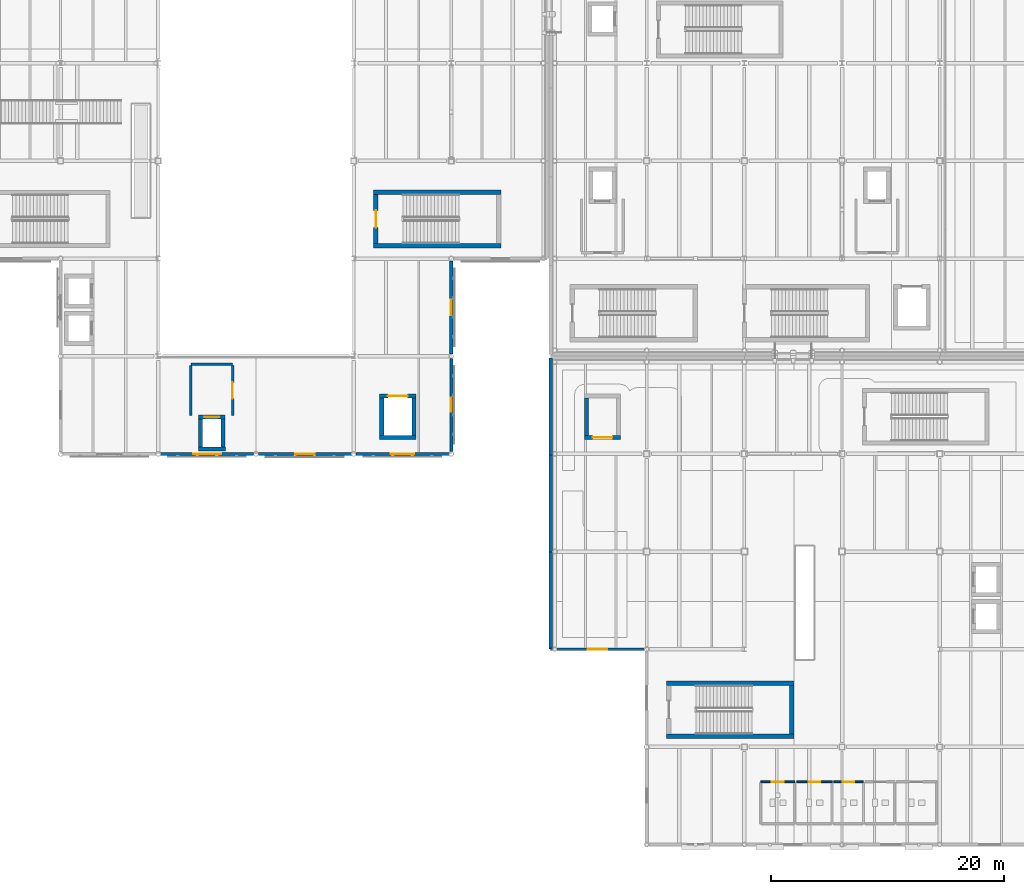
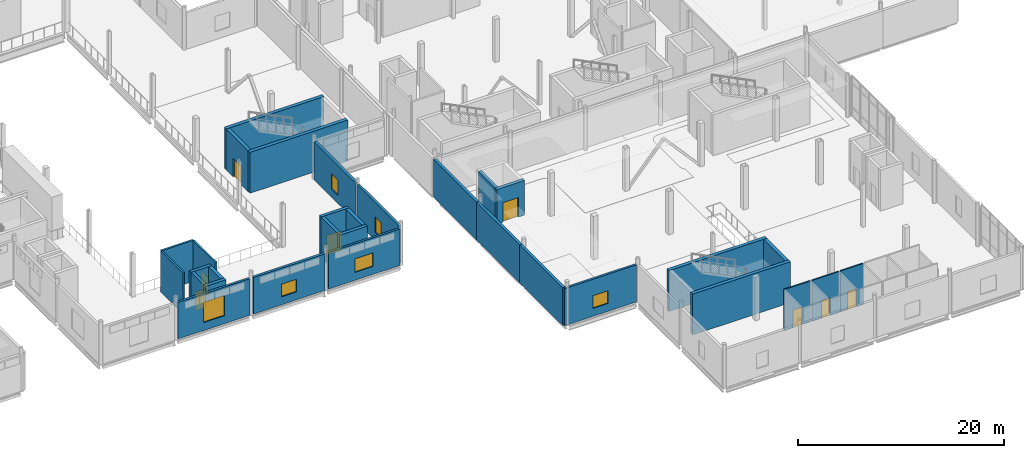
# One storey, part 68 of 104: 31 walls, 8 doors, 6 windows, 14 openings.
"""IFC4 building model written with IfcOpenShell, lengths in metres."""

from ifc_helpers import new_model, si_unit, direction, frame, frame_2d, origin, place, context, subcontext, project, spatial, rectangle, extrude, material, layer, layer_set, type_object, element, fill, save


model = new_model("IFC4")

# Units and contexts
model_context = context("Model", 3, precision=1e-05, world=origin(), true_north=direction((0.0, 1.0)))
body_context = subcontext(model_context, "Body", "Model", "MODEL_VIEW")
ifc_project = project(units=[si_unit("LENGTHUNIT", "METRE"), si_unit("AREAUNIT", "SQUARE_METRE"), si_unit("VOLUMEUNIT", "CUBIC_METRE"), si_unit("PLANEANGLEUNIT", "RADIAN"), si_unit("MASSUNIT", "GRAM", prefix="KILO"), si_unit("THERMODYNAMICTEMPERATUREUNIT", "KELVIN")], contexts=[model_context])

# Site, building, storey
site_placement = place(None, origin())
site = spatial("IfcSite", under=ifc_project, at=site_placement, CompositionType="ELEMENT")
building_placement = place(site_placement, origin())
building = spatial("IfcBuilding", under=site, at=building_placement, Name="Lustrewick Department Store", CompositionType="ELEMENT")
storey_placement = place(building_placement, frame((0.0, 0.0, 11.39990234375)))
storey = spatial("IfcBuildingStorey", under=building, at=storey_placement, Name="L03", CompositionType="ELEMENT", Elevation=11.39990234375)

# Wall, opening, window
ifc_material_1 = material(Name="Precast concrete C40", Category="concrete")
ifc_layer_1 = layer(ifc_material_1, 0.239990234375, Name="Precast concrete C40")
ifc_layer_set_1 = layer_set([ifc_layer_1], Name="Precast concrete C40")
wall_type_1 = type_object("IfcWallType", Name="EW01", PredefinedType="STANDARD", material=ifc_layer_set_1)
wall_1_placement = place(storey_placement, frame((92.597900390625, 42.0, 0.0), z_axis=(0.0, 0.0, 1.0), x_axis=(1.0, 0.0, 0.0)))
wall_1 = element("IfcWall", 1, at=wall_1_placement, inside=storey, type_object=wall_type_1, Name="L03 V2 Exterior Wall EW01", PredefinedType="STANDARD", context=body_context, shape_type="SweptSolid", body=[
    extrude(rectangle(XDim=8.004150390625, YDim=0.239990234375, at=frame_2d((4.001953125, 0.0))), origin(), (0.0, 0.0, 1.0), 4.3310546875),
])
opening_1_placement = place(wall_1_placement, frame((3.001953125, 0.0, 0.949951171875)))
opening_1 = element("IfcOpeningElement", 2, at=opening_1_placement, cuts=wall_1, Name="Opening WN20", PredefinedType="OPENING", context=body_context, shape_type="SweptSolid", body=[
    extrude(rectangle(XDim=2.0, YDim=1.60009765625, at=frame_2d((1.0, 0.800048828125))), frame((0.0, 0.1298828125, 0.0), z_axis=(0.0, -1.0, 0.0), x_axis=(1.0, 0.0, 0.0)), (0.0, 0.0, 1.0), 0.260009765625),
])
ifc_material_2 = material(Name="Thermally broken Low-E triple-glazed window", Category="glass")
window_type_1 = type_object("IfcWindowType", Name="WN20", PartitioningType="DOUBLE_PANEL_VERTICAL", PredefinedType="WINDOW", material=ifc_material_2)
window_1_placement = place(opening_1_placement, origin())
window_1 = element("IfcWindow", 3, at=window_1_placement, inside=storey, type_object=window_type_1, Name="L03 Art Nouveau Window WN20", OverallHeight=1.60009765625, OverallWidth=2.0, PartitioningType="SINGLE_PANEL", PredefinedType="WINDOW", context=body_context, shape_type="SweptSolid", body=[
    extrude(rectangle(XDim=2.0, YDim=1.60009765625, at=frame_2d((1.0, 0.800048828125))), frame((0.0, 0.030029296875, 0.0), z_axis=(0.0, -1.0, 0.0), x_axis=(1.0, 0.0, 0.0)), (0.0, 0.0, 1.0), 0.06005859375),
])
fill(opening_1, window_1)

wall_2_placement = place(storey_placement, frame((109.35009765625, 25.199951171875, 0.0), z_axis=(0.0, 0.0, 1.0), x_axis=(1.0, 0.0, 0.0)))
wall_2 = element("IfcWall", 4, at=wall_2_placement, inside=storey, type_object=wall_type_1, Name="L03 V3 Exterior Wall EW01", PredefinedType="STANDARD", context=body_context, shape_type="SweptSolid", body=[
    extrude(rectangle(XDim=8.052001953125, YDim=0.239990234375, at=frame_2d((4.02587890625, 0.0))), origin(), (0.0, 0.0, 1.0), 4.397216796875),
])
opening_2_placement = place(wall_2_placement, frame((3.18603515625, 0.0, 0.949951171875)))
opening_2 = element("IfcOpeningElement", 5, at=opening_2_placement, cuts=wall_2, Name="Opening WN19", PredefinedType="OPENING", context=body_context, shape_type="SweptSolid", body=[
    extrude(rectangle(XDim=1.679931640625, YDim=1.5, at=frame_2d((0.83984375, 0.75))), frame((0.0, 0.1298828125, 0.0), z_axis=(0.0, -1.0, 0.0), x_axis=(1.0, 0.0, 0.0)), (0.0, 0.0, 1.0), 0.260009765625),
])
window_type_2 = type_object("IfcWindowType", Name="WN19", PartitioningType="DOUBLE_PANEL_VERTICAL", PredefinedType="WINDOW", material=ifc_material_2)
window_2_placement = place(opening_2_placement, origin())
window_2 = element("IfcWindow", 6, at=window_2_placement, inside=storey, type_object=window_type_2, Name="L03 Art Nouveau Window WN19", OverallHeight=1.5, OverallWidth=1.679931640625, PartitioningType="SINGLE_PANEL", PredefinedType="WINDOW", context=body_context, shape_type="SweptSolid", body=[
    extrude(rectangle(XDim=1.679931640625, YDim=1.5, at=frame_2d((0.83984375, 0.75))), frame((0.0, 0.030029296875, 0.0), z_axis=(0.0, -1.0, 0.0), x_axis=(1.0, 0.0, 0.0)), (0.0, 0.0, 1.0), 0.06005859375),
])
fill(opening_2, window_2)

ifc_layer_2 = layer(ifc_material_1, 0.260009765625, Name="Precast concrete C40")
ifc_layer_set_2 = layer_set([ifc_layer_2], Name="Precast concrete C40")
wall_type_2 = type_object("IfcWallType", Name="EW02", PredefinedType="STANDARD", material=ifc_layer_set_2)
wall_3_placement = place(storey_placement, frame((75.798095703125, 42.0, 0.0), z_axis=(0.0, 0.0, 1.0), x_axis=(1.0, 0.0, 0.0)))
wall_3 = element("IfcWall", 7, at=wall_3_placement, inside=storey, type_object=wall_type_2, Name="L03 V2 Exterior Wall EW02", PredefinedType="STANDARD", context=body_context, shape_type="SweptSolid", body=[
    extrude(rectangle(XDim=8.00390625, YDim=0.260009765625, at=frame_2d((4.001953125, 0.0))), origin(), (0.0, 0.0, 1.0), 4.3310546875),
])
opening_3_placement = place(wall_3_placement, frame((2.802001953125, 0.0, 0.949951171875)))
opening_3 = element("IfcOpeningElement", 8, at=opening_3_placement, cuts=wall_3, Name="Opening WN18", PredefinedType="OPENING", context=body_context, shape_type="SweptSolid", body=[
    extrude(rectangle(XDim=2.39990234375, YDim=2.39990234375, at=frame_2d((1.199951171875, 1.199951171875))), frame((0.0, 0.14013671875, 0.0), z_axis=(0.0, -1.0, 0.0), x_axis=(1.0, 0.0, 0.0)), (0.0, 0.0, 1.0), 0.280029296875),
])
window_type_3 = type_object("IfcWindowType", Name="WN18", PartitioningType="DOUBLE_PANEL_VERTICAL", PredefinedType="WINDOW", material=ifc_material_2)
window_3_placement = place(opening_3_placement, origin())
window_3 = element("IfcWindow", 9, at=window_3_placement, inside=storey, type_object=window_type_3, Name="L03 Art Nouveau Window WN18", OverallHeight=2.39990234375, OverallWidth=2.39990234375, PartitioningType="SINGLE_PANEL", PredefinedType="WINDOW", context=body_context, shape_type="SweptSolid", body=[
    extrude(rectangle(XDim=2.39990234375, YDim=2.39990234375, at=frame_2d((1.199951171875, 1.199951171875))), frame((0.0, 0.030029296875, 0.0), z_axis=(0.0, -1.0, 0.0), x_axis=(1.0, 0.0, 0.0)), (0.0, 0.0, 1.0), 0.06005859375),
])
fill(opening_3, window_3)

wall_4_placement = place(storey_placement, frame((100.800048828125, 42.197998046875, 0.0), z_axis=(0.0, 0.0, 1.0), x_axis=(0.0, 1.0, 0.0)))
wall_4 = element("IfcWall", 10, at=wall_4_placement, inside=storey, type_object=wall_type_2, Name="L03 V2 Exterior Wall EW02", PredefinedType="STANDARD", context=body_context, shape_type="SweptSolid", body=[
    extrude(rectangle(XDim=8.0185546875, YDim=0.260009765625, at=frame_2d((4.00927734375, 0.0))), origin(), (0.0, 0.0, 1.0), 4.487060546875),
])
opening_4_placement = place(wall_4_placement, frame((3.4091796875, 0.0, 0.949951171875)))
opening_4 = element("IfcOpeningElement", 11, at=opening_4_placement, cuts=wall_4, Name="Opening WN01", PredefinedType="OPENING", context=body_context, shape_type="SweptSolid", body=[
    extrude(rectangle(XDim=1.199951171875, YDim=1.800048828125, at=frame_2d((0.60009765625, 0.89990234375))), frame((0.0, 0.14013671875, 0.0), z_axis=(0.0, -1.0, 0.0), x_axis=(1.0, 0.0, 0.0)), (0.0, 0.0, 1.0), 0.280029296875),
])
window_type_4 = type_object("IfcWindowType", Name="WN01", PartitioningType="DOUBLE_PANEL_VERTICAL", PredefinedType="WINDOW", material=ifc_material_2)
window_4_placement = place(opening_4_placement, origin())
window_4 = element("IfcWindow", 12, at=window_4_placement, inside=storey, type_object=window_type_4, Name="L03 Art Nouveau Window WN01", OverallHeight=1.800048828125, OverallWidth=1.199951171875, PartitioningType="SINGLE_PANEL", PredefinedType="WINDOW", context=body_context, shape_type="SweptSolid", body=[
    extrude(rectangle(XDim=1.199951171875, YDim=1.800048828125, at=frame_2d((0.60009765625, 0.89990234375))), frame((0.0, 0.030029296875, 0.0), z_axis=(0.0, -1.0, 0.0), x_axis=(1.0, 0.0, 0.0)), (0.0, 0.0, 1.0), 0.06005859375),
])
fill(opening_4, window_4)

ifc_layer_3 = layer(ifc_material_1, 0.280029296875, Name="Precast concrete C40")
ifc_layer_set_3 = layer_set([ifc_layer_3], Name="Precast concrete C40")
wall_type_3 = type_object("IfcWallType", Name="EW03", PredefinedType="STANDARD", material=ifc_layer_set_3)
wall_5_placement = place(storey_placement, frame((84.197998046875, 42.0, 0.0), z_axis=(0.0, 0.0, 1.0), x_axis=(1.0, 0.0, 0.0)))
wall_5 = element("IfcWall", 13, at=wall_5_placement, inside=storey, type_object=wall_type_3, Name="L03 V2 Exterior Wall EW03", PredefinedType="STANDARD", context=body_context, shape_type="SweptSolid", body=[
    extrude(rectangle(XDim=8.00390625, YDim=0.280029296875, at=frame_2d((4.001953125, 0.0))), origin(), (0.0, 0.0, 1.0), 4.3310546875),
])
opening_5_placement = place(wall_5_placement, frame((3.162109375, 0.0, 0.949951171875)))
opening_5 = element("IfcOpeningElement", 14, at=opening_5_placement, cuts=wall_5, Name="Opening WN19", PredefinedType="OPENING", context=body_context, shape_type="SweptSolid", body=[
    extrude(rectangle(XDim=1.679931640625, YDim=1.5, at=frame_2d((0.83984375, 0.75))), frame((0.0, 0.14990234375, 0.0), z_axis=(0.0, -1.0, 0.0), x_axis=(1.0, 0.0, 0.0)), (0.0, 0.0, 1.0), 0.300048828125),
])
window_5_placement = place(opening_5_placement, origin())
window_5 = element("IfcWindow", 15, at=window_5_placement, inside=storey, type_object=window_type_2, Name="L03 Art Nouveau Window WN19", OverallHeight=1.5, OverallWidth=1.679931640625, PartitioningType="SINGLE_PANEL", PredefinedType="WINDOW", context=body_context, shape_type="SweptSolid", body=[
    extrude(rectangle(XDim=1.679931640625, YDim=1.5, at=frame_2d((0.83984375, 0.75))), frame((0.0, 0.030029296875, 0.0), z_axis=(0.0, -1.0, 0.0), x_axis=(1.0, 0.0, 0.0)), (0.0, 0.0, 1.0), 0.06005859375),
])
fill(opening_5, window_5)

wall_6_placement = place(storey_placement, frame((100.800048828125, 50.58349609375, 0.0), z_axis=(0.0, 0.0, 1.0), x_axis=(0.0, 1.0, 0.0)))
wall_6 = element("IfcWall", 16, at=wall_6_placement, inside=storey, type_object=wall_type_3, Name="L03 V2 Exterior Wall EW03", PredefinedType="STANDARD", context=body_context, shape_type="SweptSolid", body=[
    extrude(rectangle(XDim=8.0185546875, YDim=0.280029296875, at=frame_2d((4.00927734375, 0.0))), origin(), (0.0, 0.0, 1.0), 4.487060546875),
])
opening_6_placement = place(wall_6_placement, frame((3.334228515625, 0.0, 0.949951171875)))
opening_6 = element("IfcOpeningElement", 17, at=opening_6_placement, cuts=wall_6, Name="Opening WN02", PredefinedType="OPENING", context=body_context, shape_type="SweptSolid", body=[
    extrude(rectangle(XDim=1.35009765625, YDim=1.800048828125, at=frame_2d((0.675048828125, 0.89990234375))), frame((0.0, 0.14990234375, 0.0), z_axis=(0.0, -1.0, 0.0), x_axis=(1.0, 0.0, 0.0)), (0.0, 0.0, 1.0), 0.300048828125),
])
window_type_5 = type_object("IfcWindowType", Name="WN02", PartitioningType="DOUBLE_PANEL_VERTICAL", PredefinedType="WINDOW", material=ifc_material_2)
window_6_placement = place(opening_6_placement, origin())
window_6 = element("IfcWindow", 18, at=window_6_placement, inside=storey, type_object=window_type_5, Name="L03 Art Nouveau Window WN02", OverallHeight=1.800048828125, OverallWidth=1.35009765625, PartitioningType="SINGLE_PANEL", PredefinedType="WINDOW", context=body_context, shape_type="SweptSolid", body=[
    extrude(rectangle(XDim=1.35009765625, YDim=1.800048828125, at=frame_2d((0.675048828125, 0.89990234375))), frame((0.0, 0.030029296875, 0.0), z_axis=(0.0, -1.0, 0.0), x_axis=(1.0, 0.0, 0.0)), (0.0, 0.0, 1.0), 0.06005859375),
])
fill(opening_6, window_6)

# Walls
ifc_layer_4 = layer(ifc_material_1, 0.300048828125, Name="Precast concrete C40")
ifc_layer_set_4 = layer_set([ifc_layer_4], Name="Precast concrete C40")
wall_type_4 = type_object("IfcWallType", Name="EW04", PredefinedType="STANDARD", material=ifc_layer_set_4)
wall_7_placement = place(storey_placement, frame((109.35009765625, 50.25, 0.0), z_axis=(0.0, 0.0, 1.0), x_axis=(0.0, -1.0, 0.0)))
element("IfcWall", 19, at=wall_7_placement, inside=storey, type_object=wall_type_4, Name="L03 V3 Exterior Wall EW04", PredefinedType="STANDARD", context=body_context, shape_type="SweptSolid", body=[
    extrude(rectangle(XDim=8.35009765625, YDim=0.300048828125, at=frame_2d((4.175048828125, 0.0))), origin(), (0.0, 0.0, 1.0), 4.487060546875),
])
wall_8_placement = place(storey_placement, frame((109.35009765625, 41.89990234375, 0.0), z_axis=(0.0, 0.0, 1.0), x_axis=(0.0, -1.0, 0.0)))
element("IfcWall", 20, at=wall_8_placement, inside=storey, type_object=wall_type_4, Name="L03 V3 Exterior Wall EW04", PredefinedType="STANDARD", context=body_context, shape_type="SweptSolid", body=[
    extrude(rectangle(XDim=8.349853515625, YDim=0.300048828125, at=frame_2d((4.1748046875, 0.0))), origin(), (0.0, 0.0, 1.0), 4.487060546875),
])
wall_9_placement = place(storey_placement, frame((109.35009765625, 33.550048828125, 0.0), z_axis=(0.0, 0.0, 1.0), x_axis=(0.0, -1.0, 0.0)))
element("IfcWall", 21, at=wall_9_placement, inside=storey, type_object=wall_type_4, Name="L03 V3 Exterior Wall EW04", PredefinedType="STANDARD", context=body_context, shape_type="SweptSolid", body=[
    extrude(rectangle(XDim=8.35009765625, YDim=0.300048828125, at=frame_2d((4.175048828125, 0.0))), origin(), (0.0, 0.0, 1.0), 4.487060546875),
])
ifc_material_3 = material(Name="Autoclaved aerated concrete blockwork and fire board", Category="masonry")
ifc_layer_5 = layer(ifc_material_3, 0.205078125, Name="Autoclaved aerated concrete blockwork and fire board")
ifc_layer_set_5 = layer_set([ifc_layer_5], Name="Autoclaved aerated concrete blockwork and fire board")
wall_type_5 = type_object("IfcWallType", Name="PW02", PredefinedType="PARTITIONING", material=ifc_layer_set_5)
wall_10_placement = place(storey_placement, frame((82.0, 49.699951171875, 0.0), z_axis=(0.0, 0.0, 1.0), x_axis=(-1.0, 0.0, 0.0)))
element("IfcWall", 22, at=wall_10_placement, inside=storey, type_object=wall_type_5, Name="L03 Firefighting Lift Lobby FFL-02 PW02", PredefinedType="PARTITIONING", context=body_context, shape_type="SweptSolid", body=[
    extrude(rectangle(XDim=3.60009765625, YDim=0.205078125, at=frame_2d((1.800048828125, 0.0))), origin(), (0.0, 0.0, 1.0), 4.84521484375),
])

# Wall, opening, door
wall_11_placement = place(storey_placement, frame((82.0, 45.300048828125, 0.0), z_axis=(0.0, 0.0, 1.0), x_axis=(0.0, 1.0, 0.0)))
wall_11 = element("IfcWall", 23, at=wall_11_placement, inside=storey, type_object=wall_type_5, Name="L03 Firefighting Lift Lobby FFL-02 PW02", PredefinedType="PARTITIONING", context=body_context, shape_type="SweptSolid", body=[
    extrude(rectangle(XDim=4.302490234375, YDim=0.205078125, at=frame_2d((2.1513671875, 0.0))), origin(), (0.0, 0.0, 1.0), 4.84521484375),
])
opening_7_placement = place(wall_11_placement, frame((1.451416015625, 0.0, 0.0)))
opening_7 = element("IfcOpeningElement", 24, at=opening_7_placement, cuts=wall_11, Name="Opening D-L03-048", PredefinedType="OPENING", context=body_context, shape_type="SweptSolid", body=[
    extrude(rectangle(XDim=1.39990234375, YDim=2.14990234375, at=frame_2d((0.699951171875, 1.074951171875))), frame((0.0, 0.112548828125, 0.0), z_axis=(0.0, -1.0, 0.0), x_axis=(1.0, 0.0, 0.0)), (0.0, 0.0, 1.0), 0.22509765625),
])
ifc_material_4 = material(Name="Steel fire door Class B EI 60", Category="steel")
door_type_1 = type_object("IfcDoorType", Name="DT-08", OperationType="NOTDEFINED", PredefinedType="DOOR", material=ifc_material_4)
door_1_placement = place(opening_7_placement, origin())
door_1 = element("IfcDoor", 25, at=door_1_placement, inside=storey, type_object=door_type_1, Name="L03 Firefighting Lift Lobby FFL-02 Door D-L03-048", OperationType="SINGLE_SWING_RIGHT", OverallHeight=2.14990234375, OverallWidth=1.39990234375, PredefinedType="DOOR", context=body_context, shape_type="SweptSolid", body=[
    extrude(rectangle(XDim=1.39990234375, YDim=2.14990234375, at=frame_2d((0.699951171875, 1.074951171875))), frame((0.0, 0.02490234375, 0.0), z_axis=(0.0, -1.0, 0.0), x_axis=(1.0, 0.0, 0.0)), (0.0, 0.0, 1.0), 0.050048828125),
])
fill(opening_7, door_1)

# Wall
wall_12_placement = place(storey_placement, frame((78.39990234375, 49.6025390625, 0.0), z_axis=(0.0, 0.0, 1.0), x_axis=(0.0, -1.0, 0.0)))
element("IfcWall", 26, at=wall_12_placement, inside=storey, type_object=wall_type_5, Name="L03 Firefighting Lift Lobby FFL-02 PW02", PredefinedType="PARTITIONING", context=body_context, shape_type="SweptSolid", body=[
    extrude(rectangle(XDim=4.302490234375, YDim=0.205078125, at=frame_2d((2.1513671875, 0.0))), origin(), (0.0, 0.0, 1.0), 4.84521484375),
])

# Wall, opening, door
ifc_material_5 = material(Name="Moisture-resistant cement board sanitary partition", Category="gypsum")
ifc_layer_6 = layer(ifc_material_5, 0.14990234375, Name="Moisture-resistant cement board sanitary partition")
ifc_layer_set_6 = layer_set([ifc_layer_6], Name="Moisture-resistant cement board sanitary partition")
wall_type_6 = type_object("IfcWallType", Name="PW05", PredefinedType="PARTITIONING", material=ifc_layer_set_6)
wall_13_placement = place(storey_placement, frame((130.340087890625, 13.800048828125, 0.0), z_axis=(0.0, 0.0, 1.0), x_axis=(-1.0, 0.0, 0.0)))
wall_13 = element("IfcWall", 27, at=wall_13_placement, inside=storey, type_object=wall_type_6, Name="L03 Male Public WC PW05", PredefinedType="PARTITIONING", context=body_context, shape_type="SweptSolid", body=[
    extrude(rectangle(XDim=2.940185546875, YDim=0.14990234375, at=frame_2d((1.47021484375, 0.0))), origin(), (0.0, 0.0, 1.0), 4.84521484375),
])
opening_8_placement = place(wall_13_placement, frame((0.969970703125, 0.0, 0.0)))
opening_8 = element("IfcOpeningElement", 28, at=opening_8_placement, cuts=wall_13, Name="Opening D-L03-049", PredefinedType="OPENING", context=body_context, shape_type="SweptSolid", body=[
    extrude(rectangle(XDim=1.0, YDim=2.10009765625, at=frame_2d((0.5, 1.050048828125))), frame((0.0, 0.0849609375, 0.0), z_axis=(0.0, -1.0, 0.0), x_axis=(1.0, 0.0, 0.0)), (0.0, 0.0, 1.0), 0.169921875),
])
ifc_material_6 = material(Name="Moisture-resistant laminate sanitary door", Category="steel")
door_type_2 = type_object("IfcDoorType", Name="DT-11", OperationType="NOTDEFINED", PredefinedType="DOOR", material=ifc_material_6)
door_2_placement = place(opening_8_placement, origin())
door_2 = element("IfcDoor", 29, at=door_2_placement, inside=storey, type_object=door_type_2, Name="L03 Male Public WC Door D-L03-049", OperationType="SINGLE_SWING_LEFT", OverallHeight=2.10009765625, OverallWidth=1.0, PredefinedType="DOOR", context=body_context, shape_type="SweptSolid", body=[
    extrude(rectangle(XDim=1.0, YDim=2.10009765625, at=frame_2d((0.5, 1.050048828125))), frame((0.0, 0.02490234375, 0.0), z_axis=(0.0, -1.0, 0.0), x_axis=(1.0, 0.0, 0.0)), (0.0, 0.0, 1.0), 0.050048828125),
])
fill(opening_8, door_2)

wall_14_placement = place(storey_placement, frame((133.5400390625, 13.800048828125, 0.0), z_axis=(0.0, 0.0, 1.0), x_axis=(-1.0, 0.0, 0.0)))
wall_14 = element("IfcWall", 30, at=wall_14_placement, inside=storey, type_object=wall_type_6, Name="L03 Female Public WC PW05", PredefinedType="PARTITIONING", context=body_context, shape_type="SweptSolid", body=[
    extrude(rectangle(XDim=3.0400390625, YDim=0.14990234375, at=frame_2d((1.52001953125, 0.0))), origin(), (0.0, 0.0, 1.0), 4.84521484375),
])
opening_9_placement = place(wall_14_placement, frame((1.02001953125, 0.0, 0.0)))
opening_9 = element("IfcOpeningElement", 31, at=opening_9_placement, cuts=wall_14, Name="Opening D-L03-050", PredefinedType="OPENING", context=body_context, shape_type="SweptSolid", body=[
    extrude(rectangle(XDim=1.0, YDim=2.10009765625, at=frame_2d((0.5, 1.050048828125))), frame((0.0, 0.0849609375, 0.0), z_axis=(0.0, -1.0, 0.0), x_axis=(1.0, 0.0, 0.0)), (0.0, 0.0, 1.0), 0.169921875),
])
door_3_placement = place(opening_9_placement, origin())
door_3 = element("IfcDoor", 32, at=door_3_placement, inside=storey, type_object=door_type_2, Name="L03 Female Public WC Door D-L03-050", OperationType="SINGLE_SWING_RIGHT", OverallHeight=2.10009765625, OverallWidth=1.0, PredefinedType="DOOR", context=body_context, shape_type="SweptSolid", body=[
    extrude(rectangle(XDim=1.0, YDim=2.10009765625, at=frame_2d((0.5, 1.050048828125))), frame((0.0, 0.02490234375, 0.0), z_axis=(0.0, -1.0, 0.0), x_axis=(1.0, 0.0, 0.0)), (0.0, 0.0, 1.0), 0.050048828125),
])
fill(opening_9, door_3)

wall_15_placement = place(storey_placement, frame((136.239990234375, 13.800048828125, 0.0), z_axis=(0.0, 0.0, 1.0), x_axis=(-1.0, 0.0, 0.0)))
wall_15 = element("IfcWall", 33, at=wall_15_placement, inside=storey, type_object=wall_type_6, Name="L03 Accessible WC PW05", PredefinedType="PARTITIONING", context=body_context, shape_type="SweptSolid", body=[
    extrude(rectangle(XDim=2.5400390625, YDim=0.14990234375, at=frame_2d((1.27001953125, 0.0))), origin(), (0.0, 0.0, 1.0), 4.84521484375),
])
opening_10_placement = place(wall_15_placement, frame((0.780029296875, 0.0, 0.0)))
opening_10 = element("IfcOpeningElement", 34, at=opening_10_placement, cuts=wall_15, Name="Opening D-L03-051", PredefinedType="OPENING", context=body_context, shape_type="SweptSolid", body=[
    extrude(rectangle(XDim=0.97998046875, YDim=2.10009765625, at=frame_2d((0.489990234375, 1.050048828125))), frame((0.0, 0.0849609375, 0.0), z_axis=(0.0, -1.0, 0.0), x_axis=(1.0, 0.0, 0.0)), (0.0, 0.0, 1.0), 0.169921875),
])
ifc_material_7 = material(Name="Barrier-free accessible sanitary door", Category="steel")
door_type_3 = type_object("IfcDoorType", Name="DT-12", OperationType="NOTDEFINED", PredefinedType="DOOR", material=ifc_material_7)
door_4_placement = place(opening_10_placement, origin())
door_4 = element("IfcDoor", 35, at=door_4_placement, inside=storey, type_object=door_type_3, Name="L03 Accessible WC Door D-L03-051", OperationType="SINGLE_SWING_LEFT", OverallHeight=2.10009765625, OverallWidth=0.97998046875, PredefinedType="DOOR", context=body_context, shape_type="SweptSolid", body=[
    extrude(rectangle(XDim=0.97998046875, YDim=2.10009765625, at=frame_2d((0.489990234375, 1.050048828125))), frame((0.0, 0.02490234375, 0.0), z_axis=(0.0, -1.0, 0.0), x_axis=(1.0, 0.0, 0.0)), (0.0, 0.0, 1.0), 0.050048828125),
])
fill(opening_10, door_4)

# Walls
ifc_material_8 = material(Name="Concrete C40", Category="concrete")
ifc_layer_7 = layer(ifc_material_8, 0.3798828125, Name="Concrete C40")
ifc_layer_set_7 = layer_set([ifc_layer_7], Name="Concrete C40")
wall_type_7 = type_object("IfcWallType", Name="SW03", PredefinedType="SHEAR", material=ifc_layer_set_7)
for number, where, z_axis, x_axis, name in (
    (36, (94.1201171875, 59.909912109375, 0.0), (0.0, 0.0, 1.0), (1.0, 0.0, 0.0), "L03 Stair Core ST05 Shear Wall S"),
    (37, (105.080078125, 64.489990234375, 0.0), (0.0, 0.0, 1.0), (-1.0, 0.0, 0.0), "L03 Stair Core ST05 Shear Wall N"),
):
    element("IfcWall", number, at=place(storey_placement, frame(where, z_axis=z_axis, x_axis=x_axis)), inside=storey, type_object=wall_type_7, Name=name, PredefinedType="SHEAR", context=body_context, shape_type="SweptSolid", body=[
        extrude(rectangle(XDim=10.9599609375, YDim=0.3798828125, at=frame_2d((5.47998046875, 0.0))), origin(), (0.0, 0.0, 1.0), 4.84521484375),
    ])

# Wall, opening, door
wall_16_placement = place(storey_placement, frame((94.31005859375, 64.300048828125, 0.0), z_axis=(0.0, 0.0, 1.0), x_axis=(0.0, -1.0, 0.0)))
wall_16 = element("IfcWall", 38, at=wall_16_placement, inside=storey, type_object=wall_type_7, Name="L03 Stair Core ST05 Shear Wall W", PredefinedType="SHEAR", context=body_context, shape_type="SweptSolid", body=[
    extrude(rectangle(XDim=4.199951171875, YDim=0.3798828125, at=frame_2d((2.10009765625, 0.0))), origin(), (0.0, 0.0, 1.0), 4.84521484375),
])
opening_11_placement = place(wall_16_placement, frame((1.35009765625, 0.0, 0.0)))
opening_11 = element("IfcOpeningElement", 39, at=opening_11_placement, cuts=wall_16, Name="Opening D-L03-005", PredefinedType="OPENING", context=body_context, shape_type="SweptSolid", body=[
    extrude(rectangle(XDim=1.5, YDim=2.14990234375, at=frame_2d((0.75, 1.074951171875))), frame((0.0, 0.199951171875, 0.0), z_axis=(0.0, -1.0, 0.0), x_axis=(1.0, 0.0, 0.0)), (0.0, 0.0, 1.0), 0.39990234375),
])
door_type_4 = type_object("IfcDoorType", Name="DT-07", OperationType="NOTDEFINED", PredefinedType="DOOR", material=ifc_material_4)
door_5_placement = place(opening_11_placement, origin())
door_5 = element("IfcDoor", 40, at=door_5_placement, inside=storey, type_object=door_type_4, Name="L03 Smoke-Proof Stair ST05 Fire Door", OperationType="SINGLE_SWING_LEFT", OverallHeight=2.14990234375, OverallWidth=1.5, PredefinedType="DOOR", context=body_context, shape_type="SweptSolid", body=[
    extrude(rectangle(XDim=1.5, YDim=2.14990234375, at=frame_2d((0.75, 1.074951171875))), frame((0.0, 0.02490234375, 0.0), z_axis=(0.0, -1.0, 0.0), x_axis=(1.0, 0.0, 0.0)), (0.0, 0.0, 1.0), 0.050048828125),
])
fill(opening_11, door_5)

# Walls
wall_17_placement = place(storey_placement, frame((119.320068359375, 17.7099609375, 0.0), z_axis=(0.0, 0.0, 1.0), x_axis=(1.0, 0.0, 0.0)))
element("IfcWall", 41, at=wall_17_placement, inside=storey, type_object=wall_type_7, Name="L03 Stair Core ST07 Shear Wall S", PredefinedType="SHEAR", context=body_context, shape_type="SweptSolid", body=[
    extrude(rectangle(XDim=10.9599609375, YDim=0.3798828125, at=frame_2d((5.47998046875, 0.0))), origin(), (0.0, 0.0, 1.0), 4.84521484375),
])
wall_18_placement = place(storey_placement, frame((130.090087890625, 17.89990234375, 0.0), z_axis=(0.0, 0.0, 1.0), x_axis=(0.0, 1.0, 0.0)))
element("IfcWall", 42, at=wall_18_placement, inside=storey, type_object=wall_type_7, Name="L03 Stair Core ST07 Shear Wall E", PredefinedType="SHEAR", context=body_context, shape_type="SweptSolid", body=[
    extrude(rectangle(XDim=4.2001953125, YDim=0.3798828125, at=frame_2d((2.10009765625, 0.0))), origin(), (0.0, 0.0, 1.0), 4.84521484375),
])
wall_19_placement = place(storey_placement, frame((130.280029296875, 22.2900390625, 0.0), z_axis=(0.0, 0.0, 1.0), x_axis=(-1.0, 0.0, 0.0)))
element("IfcWall", 43, at=wall_19_placement, inside=storey, type_object=wall_type_7, Name="L03 Stair Core ST07 Shear Wall N", PredefinedType="SHEAR", context=body_context, shape_type="SweptSolid", body=[
    extrude(rectangle(XDim=10.9599609375, YDim=0.3798828125, at=frame_2d((5.47998046875, 0.0))), origin(), (0.0, 0.0, 1.0), 4.84521484375),
])
ifc_layer_8 = layer(ifc_material_8, 0.360107421875, Name="Concrete C40")
ifc_layer_set_8 = layer_set([ifc_layer_8], Name="Concrete C40")
wall_type_8 = type_object("IfcWallType", Name="SW04", PredefinedType="SHEAR", material=ifc_layer_set_8)
wall_20_placement = place(storey_placement, frame((79.0400390625, 42.419921875, 0.0), z_axis=(0.0, 0.0, 1.0), x_axis=(1.0, 0.0, 0.0)))
element("IfcWall", 44, at=wall_20_placement, inside=storey, type_object=wall_type_8, Name="L03 Lift FFL-02 Shaft Wall -Y", PredefinedType="SHEAR", context=body_context, shape_type="SweptSolid", body=[
    extrude(rectangle(XDim=2.320068359375, YDim=0.360107421875, at=frame_2d((1.16015625, 0.0))), origin(), (0.0, 0.0, 1.0), 4.84521484375),
])
wall_21_placement = place(storey_placement, frame((81.179931640625, 42.60009765625, 0.0), z_axis=(0.0, 0.0, 1.0), x_axis=(0.0, 1.0, 0.0)))
element("IfcWall", 45, at=wall_21_placement, inside=storey, type_object=wall_type_8, Name="L03 Lift FFL-02 Shaft Wall +X", PredefinedType="SHEAR", context=body_context, shape_type="SweptSolid", body=[
    extrude(rectangle(XDim=2.39990234375, YDim=0.360107421875, at=frame_2d((1.199951171875, 0.0))), origin(), (0.0, 0.0, 1.0), 4.84521484375),
])

# Wall, opening, door
wall_22_placement = place(storey_placement, frame((81.360107421875, 45.179931640625, 0.0), z_axis=(0.0, 0.0, 1.0), x_axis=(-1.0, 0.0, 0.0)))
wall_22 = element("IfcWall", 46, at=wall_22_placement, inside=storey, type_object=wall_type_8, Name="L03 Lift FFL-02 Shaft Wall +Y", PredefinedType="SHEAR", context=body_context, shape_type="SweptSolid", body=[
    extrude(rectangle(XDim=2.320068359375, YDim=0.360107421875, at=frame_2d((1.16015625, 0.0))), origin(), (0.0, 0.0, 1.0), 4.84521484375),
])
opening_12_placement = place(wall_22_placement, frame((0.534912109375, 0.0, 0.0)))
opening_12 = element("IfcOpeningElement", 47, at=opening_12_placement, cuts=wall_22, Name="Opening LD-L03-02", PredefinedType="OPENING", context=body_context, shape_type="SweptSolid", body=[
    extrude(rectangle(XDim=1.25, YDim=2.199951171875, at=frame_2d((0.625, 1.10009765625))), frame((0.0, 0.18994140625, 0.0), z_axis=(0.0, -1.0, 0.0), x_axis=(1.0, 0.0, 0.0)), (0.0, 0.0, 1.0), 0.380126953125),
])
ifc_material_9 = material(Name="Stainless steel firefighting lift landing door EI 90", Category="steel")
door_type_5 = type_object("IfcDoorType", Name="DT-15", OperationType="NOTDEFINED", PredefinedType="DOOR", material=ifc_material_9)
door_6_placement = place(opening_12_placement, frame((1.25, 0.0, 0.0), z_axis=(0.0, 0.0, 1.0), x_axis=(-1.0, 0.0, 0.0)))
door_6 = element("IfcDoor", 48, at=door_6_placement, inside=storey, type_object=door_type_5, Name="L03 Lift FFL-02 Sliding Landing Door LD-L03-02", OperationType="DOUBLE_DOOR_SLIDING", OverallHeight=2.199951171875, OverallWidth=1.25, PredefinedType="DOOR", context=body_context, shape_type="SweptSolid", body=[
    extrude(rectangle(XDim=1.25, YDim=2.199951171875, at=frame_2d((0.625, 1.10009765625))), frame((0.0, 0.02490234375, 0.0), z_axis=(0.0, -1.0, 0.0), x_axis=(1.0, 0.0, 0.0)), (0.0, 0.0, 1.0), 0.050048828125),
])
fill(opening_12, door_6)

# Walls
wall_23_placement = place(storey_placement, frame((79.219970703125, 45.0, 0.0), z_axis=(0.0, 0.0, 1.0), x_axis=(0.0, -1.0, 0.0)))
element("IfcWall", 49, at=wall_23_placement, inside=storey, type_object=wall_type_8, Name="L03 Lift FFL-02 Shaft Wall -X", PredefinedType="SHEAR", context=body_context, shape_type="SweptSolid", body=[
    extrude(rectangle(XDim=2.39990234375, YDim=0.360107421875, at=frame_2d((1.199951171875, 0.0))), origin(), (0.0, 0.0, 1.0), 4.84521484375),
])
wall_24_placement = place(storey_placement, frame((94.639892578125, 43.419921875, 0.0), z_axis=(0.0, 0.0, 1.0), x_axis=(1.0, 0.0, 0.0)))
element("IfcWall", 50, at=wall_24_placement, inside=storey, type_object=wall_type_8, Name="L03 Lift GL-02 Shaft Wall -Y", PredefinedType="SHEAR", context=body_context, shape_type="SweptSolid", body=[
    extrude(rectangle(XDim=3.1201171875, YDim=0.360107421875, at=frame_2d((1.56005859375, 0.0))), origin(), (0.0, 0.0, 1.0), 4.84521484375),
])
wall_25_placement = place(storey_placement, frame((97.580078125, 43.60009765625, 0.0), z_axis=(0.0, 0.0, 1.0), x_axis=(0.0, 1.0, 0.0)))
element("IfcWall", 51, at=wall_25_placement, inside=storey, type_object=wall_type_8, Name="L03 Lift GL-02 Shaft Wall +X", PredefinedType="SHEAR", context=body_context, shape_type="SweptSolid", body=[
    extrude(rectangle(XDim=3.199951171875, YDim=0.360107421875, at=frame_2d((1.60009765625, 0.0))), origin(), (0.0, 0.0, 1.0), 4.84521484375),
])

# Wall, opening, door
wall_26_placement = place(storey_placement, frame((97.760009765625, 46.97998046875, 0.0), z_axis=(0.0, 0.0, 1.0), x_axis=(-1.0, 0.0, 0.0)))
wall_26 = element("IfcWall", 52, at=wall_26_placement, inside=storey, type_object=wall_type_8, Name="L03 Lift GL-02 Shaft Wall +Y", PredefinedType="SHEAR", context=body_context, shape_type="SweptSolid", body=[
    extrude(rectangle(XDim=3.1201171875, YDim=0.360107421875, at=frame_2d((1.56005859375, 0.0))), origin(), (0.0, 0.0, 1.0), 4.84521484375),
])
opening_13_placement = place(wall_26_placement, frame((0.7099609375, 0.0, 0.0)))
opening_13 = element("IfcOpeningElement", 53, at=opening_13_placement, cuts=wall_26, Name="Opening LD-L03-14", PredefinedType="OPENING", context=body_context, shape_type="SweptSolid", body=[
    extrude(rectangle(XDim=1.699951171875, YDim=2.300048828125, at=frame_2d((0.85009765625, 1.14990234375))), frame((0.0, 0.18994140625, 0.0), z_axis=(0.0, -1.0, 0.0), x_axis=(1.0, 0.0, 0.0)), (0.0, 0.0, 1.0), 0.380126953125),
])
ifc_material_10 = material(Name="Heavy-duty stainless goods lift landing door EI 90", Category="steel")
door_type_6 = type_object("IfcDoorType", Name="DT-17", OperationType="NOTDEFINED", PredefinedType="DOOR", material=ifc_material_10)
door_7_placement = place(opening_13_placement, frame((1.699951171875, 0.0, 0.0), z_axis=(0.0, 0.0, 1.0), x_axis=(-1.0, 0.0, 0.0)))
door_7 = element("IfcDoor", 54, at=door_7_placement, inside=storey, type_object=door_type_6, Name="L03 Lift GL-02 Sliding Landing Door LD-L03-14", OperationType="DOUBLE_DOOR_SLIDING", OverallHeight=2.300048828125, OverallWidth=1.699951171875, PredefinedType="DOOR", context=body_context, shape_type="SweptSolid", body=[
    extrude(rectangle(XDim=1.699951171875, YDim=2.300048828125, at=frame_2d((0.85009765625, 1.14990234375))), frame((0.0, 0.02490234375, 0.0), z_axis=(0.0, -1.0, 0.0), x_axis=(1.0, 0.0, 0.0)), (0.0, 0.0, 1.0), 0.050048828125),
])
fill(opening_13, door_7)

# Wall
wall_27_placement = place(storey_placement, frame((94.820068359375, 46.800048828125, 0.0), z_axis=(0.0, 0.0, 1.0), x_axis=(0.0, -1.0, 0.0)))
element("IfcWall", 55, at=wall_27_placement, inside=storey, type_object=wall_type_8, Name="L03 Lift GL-02 Shaft Wall -X", PredefinedType="SHEAR", context=body_context, shape_type="SweptSolid", body=[
    extrude(rectangle(XDim=3.199951171875, YDim=0.360107421875, at=frame_2d((1.60009765625, 0.0))), origin(), (0.0, 0.0, 1.0), 4.84521484375),
])

# Wall, opening, door
wall_28_placement = place(storey_placement, frame((112.239990234375, 43.419921875, 0.0), z_axis=(0.0, 0.0, 1.0), x_axis=(1.0, 0.0, 0.0)))
wall_28 = element("IfcWall", 56, at=wall_28_placement, inside=storey, type_object=wall_type_8, Name="L03 Lift GL-03 Shaft Wall -Y", PredefinedType="SHEAR", context=body_context, shape_type="SweptSolid", body=[
    extrude(rectangle(XDim=3.1201171875, YDim=0.360107421875, at=frame_2d((1.56005859375, 0.0))), origin(), (0.0, 0.0, 1.0), 4.09521484375),
])
opening_14_placement = place(wall_28_placement, frame((0.7099609375, 0.0, 0.0)))
opening_14 = element("IfcOpeningElement", 57, at=opening_14_placement, cuts=wall_28, Name="Opening LD-L03-15", PredefinedType="OPENING", context=body_context, shape_type="SweptSolid", body=[
    extrude(rectangle(XDim=1.699951171875, YDim=2.300048828125, at=frame_2d((0.85009765625, 1.14990234375))), frame((0.0, 0.18994140625, 0.0), z_axis=(0.0, -1.0, 0.0), x_axis=(1.0, 0.0, 0.0)), (0.0, 0.0, 1.0), 0.380126953125),
])
door_8_placement = place(opening_14_placement, frame((1.699951171875, 0.0, 0.0), z_axis=(0.0, 0.0, 1.0), x_axis=(-1.0, 0.0, 0.0)))
door_8 = element("IfcDoor", 58, at=door_8_placement, inside=storey, type_object=door_type_6, Name="L03 Lift GL-03 Sliding Landing Door LD-L03-15", OperationType="DOUBLE_DOOR_SLIDING", OverallHeight=2.300048828125, OverallWidth=1.699951171875, PredefinedType="DOOR", context=body_context, shape_type="SweptSolid", body=[
    extrude(rectangle(XDim=1.699951171875, YDim=2.300048828125, at=frame_2d((0.85009765625, 1.14990234375))), frame((0.0, 0.02490234375, 0.0), z_axis=(0.0, -1.0, 0.0), x_axis=(1.0, 0.0, 0.0)), (0.0, 0.0, 1.0), 0.050048828125),
])
fill(opening_14, door_8)

# Wall
wall_29_placement = place(storey_placement, frame((112.419921875, 46.800048828125, 0.0), z_axis=(0.0, 0.0, 1.0), x_axis=(0.0, -1.0, 0.0)))
element("IfcWall", 59, at=wall_29_placement, inside=storey, type_object=wall_type_8, Name="L03 Lift GL-03 Shaft Wall -X", PredefinedType="SHEAR", context=body_context, shape_type="SweptSolid", body=[
    extrude(rectangle(XDim=3.199951171875, YDim=0.360107421875, at=frame_2d((1.60009765625, 0.0))), origin(), (0.0, 0.0, 1.0), 4.09521484375),
])

save(model, "model.ifc")
